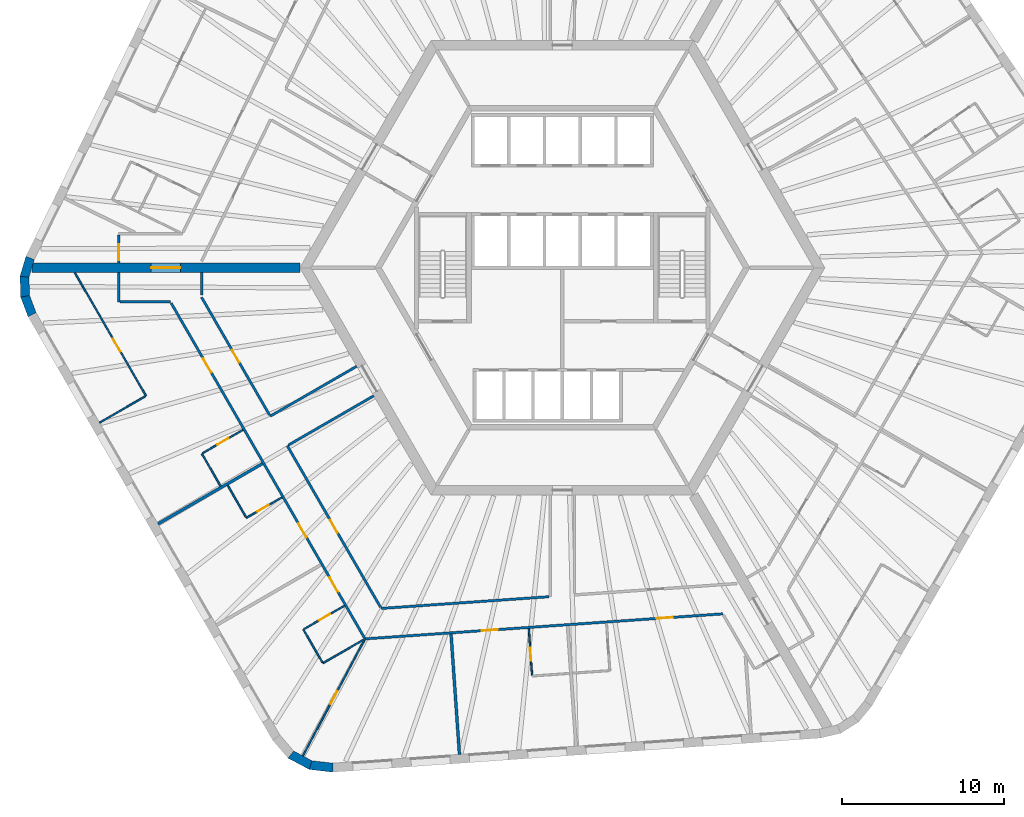
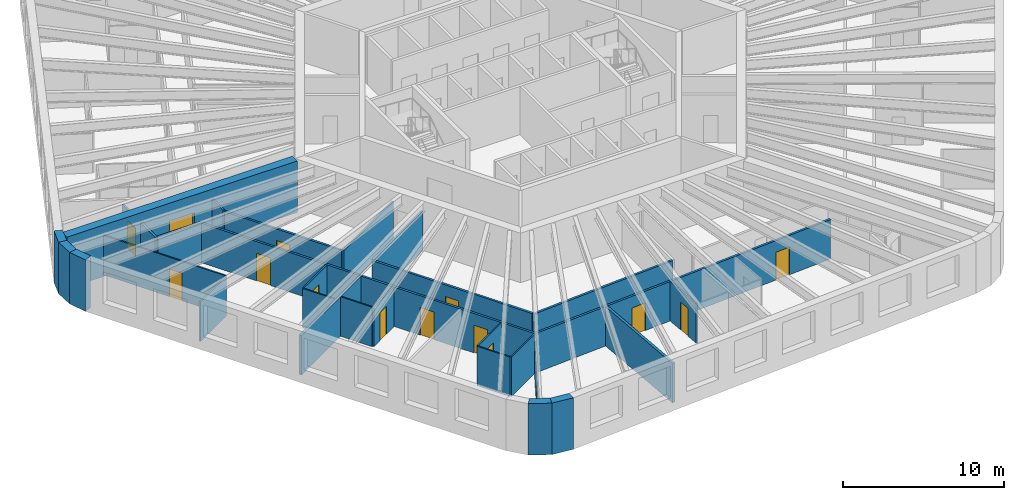
# One storey, part 3 of 12: 30 walls, 15 doors, 15 openings.
"""IFC4 building model written with IfcOpenShell, lengths in metres."""

import ifcopenshell
import ifcopenshell.guid

model = None  # the IFC model being written
_history = None  # IfcOwnerHistory: only IFC2X3 demands one
_inside = {}  # id of a spatial element -> (the spatial element, [elements in it])
_under = {}  # id of a project, library or spatial element -> (it, [spatial elements below it])
_declared = {}  # id of a project -> (the project, [libraries it declares])
_typed = {}  # id of a type object -> (the type object, [elements of that type])
_made_of = {}  # id of a material, layer set ... -> (it, [elements and type objects made of it])


def new_model(schema):
    """Start an empty IFC model of exactly this schema.

    Asked for "IFC4X3", IfcOpenShell would pick the latest addendum, in which some entities
    have other attributes; the version numbers below select the first issue.
    IFC2X3 requires an IfcOwnerHistory on every rooted entity: one is made here for all.
    """
    global model, _history
    if schema == "IFC4X3":
        model = ifcopenshell.file(schema_version=(4, 3, 0, 0))
    else:
        model = ifcopenshell.file(schema=schema)
    _inside.clear()
    _under.clear()
    _declared.clear()
    _typed.clear()
    _made_of.clear()
    _history = None
    if model.schema == "IFC2X3":
        org = make("IfcOrganization", Name="unknown")
        user = make(
            "IfcPersonAndOrganization",
            ThePerson=make("IfcPerson", FamilyName="unknown"),
            TheOrganization=org,
        )
        app = make(
            "IfcApplication",
            ApplicationDeveloper=org,
            Version="unknown",
            ApplicationFullName="unknown",
            ApplicationIdentifier="unknown",
        )
        _history = make(
            "IfcOwnerHistory",
            OwningUser=user,
            OwningApplication=app,
            ChangeAction="ADDED",
            CreationDate=0,
        )
    return model


def make(cls, **values):
    """One entity of the class cls with the attributes given. An attribute that is None is left unset."""
    return model.create_entity(
        cls, **{name: value for name, value in values.items() if value is not None}
    )


def rooted(cls, **values):
    """An entity with a GlobalId (a new one), such as an element, a storey or a relation."""
    return make(cls, GlobalId=ifcopenshell.guid.new(), OwnerHistory=_history, **values)


def si_unit(unit_type, name, prefix=None):
    """IfcSIUnit, for example si_unit("LENGTHUNIT", "METRE", prefix="MILLI")."""
    return make("IfcSIUnit", UnitType=unit_type, Prefix=prefix, Name=name)


def assignment(units):
    """IfcUnitAssignment: the units of a project."""
    return None if units is None else make("IfcUnitAssignment", Units=units)


def point(xyz):
    """IfcCartesianPoint."""
    return None if xyz is None else make("IfcCartesianPoint", Coordinates=xyz)


def direction(xyz):
    """IfcDirection."""
    return None if xyz is None else make("IfcDirection", DirectionRatios=xyz)


def frame(location, z_axis=None, x_axis=None):
    """IfcAxis2Placement3D, a coordinate frame: its origin and axes. An axis left out is left unset."""
    return make(
        "IfcAxis2Placement3D",
        Location=point(location),
        Axis=direction(z_axis),
        RefDirection=direction(x_axis),
    )


def frame_2d(location, x_axis=None):
    """IfcAxis2Placement2D, a coordinate frame in the plane: its origin and x axis."""
    return make(
        "IfcAxis2Placement2D", Location=point(location), RefDirection=direction(x_axis)
    )


def origin():
    """The frame at (0, 0, 0) with its axes left unset."""
    return frame((0.0, 0.0, 0.0))


def place(relative_to, where):
    """IfcLocalPlacement: puts the frame where relative to a parent placement (None: the world)."""
    return make(
        "IfcLocalPlacement", PlacementRelTo=relative_to, RelativePlacement=where
    )


def context(
    kind, dimensions, precision=None, world=None, true_north=None, identifier=None
):
    """IfcGeometricRepresentationContext, for example the 3D "Model" context."""
    return make(
        "IfcGeometricRepresentationContext",
        ContextIdentifier=identifier,
        ContextType=kind,
        CoordinateSpaceDimension=dimensions,
        Precision=precision,
        WorldCoordinateSystem=world,
        TrueNorth=true_north,
    )


def subcontext(parent, identifier, kind, view, scale=None):
    """IfcGeometricRepresentationSubContext, for example "Body" below "Model"."""
    return make(
        "IfcGeometricRepresentationSubContext",
        ContextIdentifier=identifier,
        ContextType=kind,
        ParentContext=parent,
        TargetScale=scale,
        TargetView=view,
    )


def project(units=None, contexts=None):
    """IfcProject with its units and contexts."""
    return rooted(
        "IfcProject",
        Name="project",
        RepresentationContexts=contexts,
        UnitsInContext=assignment(units),
    )


def spatial(cls, under=None, at=None, **own):
    """A site, building, storey or space (cls), placed at a placement, below another one or the project."""
    s = rooted(cls, ObjectPlacement=at, **own)
    if under is not None:
        _under.setdefault(under.id(), (under, []))[1].append(s)
    return s


def polyline(points):
    """IfcPolyline through the points."""
    return make("IfcPolyline", Points=[point(p) for p in points])


def profile(cls, at=None, kind="AREA", **sizes):
    """A parametric profile (cls). Its sizes go by their IFC names, for example OverallWidth=200.0."""
    return make(cls, ProfileType=kind, Position=at, **sizes)


def rectangle(**sizes):
    """IfcRectangleProfileDef."""
    return profile("IfcRectangleProfileDef", **sizes)


def outline(outer, holes=None, kind="AREA"):
    """IfcArbitraryClosedProfileDef: a profile drawn as a closed curve; with holes, ...WithVoids."""
    if holes is None:
        return make("IfcArbitraryClosedProfileDef", ProfileType=kind, OuterCurve=outer)
    return make(
        "IfcArbitraryProfileDefWithVoids",
        ProfileType=kind,
        OuterCurve=outer,
        InnerCurves=holes,
    )


def extrude(swept, where, along, depth):
    """IfcExtrudedAreaSolid: the profile swept, set in the frame where, extruded along a direction by depth."""
    return make(
        "IfcExtrudedAreaSolid",
        SweptArea=swept,
        Position=where,
        ExtrudedDirection=direction(along),
        Depth=depth,
    )


def shape(context_of_items, identifier, shape_type, items):
    """IfcShapeRepresentation: the items that make up one representation, for example the "Body"."""
    return make(
        "IfcShapeRepresentation",
        ContextOfItems=context_of_items,
        RepresentationIdentifier=identifier,
        RepresentationType=shape_type,
        Items=items,
    )


def material(Name=None, Category=None):
    """IfcMaterial."""
    return make("IfcMaterial", Name=Name, Category=Category)


def layer(
    of_material, thickness, ventilated=None, Name=None, Category=None, Priority=None
):
    """IfcMaterialLayer: one layer of a wall or slab, of a material (None: an air gap)."""
    return make(
        "IfcMaterialLayer",
        Material=of_material,
        LayerThickness=thickness,
        IsVentilated=ventilated,
        Name=Name,
        Category=Category,
        Priority=Priority,
    )


def layer_set(layers, Name=None):
    """IfcMaterialLayerSet."""
    return make("IfcMaterialLayerSet", MaterialLayers=layers, LayerSetName=Name)


def made_of(thing, what):
    """Note that an element or type object is made of a material, layer set ...; save() writes the relation."""
    if what is not None:
        _made_of.setdefault(what.id(), (what, []))[1].append(thing)
    return thing


def type_object(cls, material=None, **own):
    """A type object (cls), such as IfcWallType, which elements share."""
    return made_of(rooted(cls, **own), material)


def element(
    cls,
    number,
    at=None,
    inside=None,
    cuts=None,
    type_object=None,
    material=None,
    context=None,
    identifier="Body",
    shape_type=None,
    held_by="IfcProductDefinitionShape",
    body=None,
    shapes=None,
    **own,
):
    """One element of the class cls, such as IfcWall. Its Tag is "e" and its number.

    at: its placement. inside: the storey or other place that contains it. cuts: it is an
    opening in that element (IfcRelVoidsElement). A single representation is given by context,
    identifier, shape_type and body (its items); several are given by shapes. held_by: the class
    of the entity that holds the representations. save() writes the other relations.
    """
    e = rooted(cls, Tag="e%d" % number, ObjectPlacement=at, **own)
    if body is not None:
        shapes = [shape(context, identifier, shape_type, body)]
    if shapes is not None:
        e.Representation = make(held_by, Representations=shapes)
    if inside is not None:
        _inside.setdefault(inside.id(), (inside, []))[1].append(e)
    if cuts is not None:
        rooted(
            "IfcRelVoidsElement", RelatingBuildingElement=cuts, RelatedOpeningElement=e
        )
    if type_object is not None:
        _typed.setdefault(type_object.id(), (type_object, []))[1].append(e)
    return made_of(e, material)


def fill(opening, filler):
    """IfcRelFillsElement: the door or window that sits in an opening."""
    return rooted(
        "IfcRelFillsElement",
        RelatingOpeningElement=opening,
        RelatedBuildingElement=filler,
    )


def aggregate(whole, parts):
    """IfcRelAggregates: a whole, such as a stair, and the parts it consists of."""
    return rooted("IfcRelAggregates", RelatingObject=whole, RelatedObjects=parts)


def save(model, path):
    """Write the relations noted so far, then the file.

    IfcRelAggregates (storeys below a building ...), IfcRelContainedInSpatialStructure (elements
    in a storey), IfcRelDefinesByType, IfcRelAssociatesMaterial and IfcRelDeclares: one each for
    every whole, place, type object, material and project.
    """
    for whole, parts in _under.values():
        aggregate(whole, parts)
    for where, things in _inside.values():
        rooted(
            "IfcRelContainedInSpatialStructure",
            RelatedElements=things,
            RelatingStructure=where,
        )
    for kind, things in _typed.values():
        rooted("IfcRelDefinesByType", RelatedObjects=things, RelatingType=kind)
    for what, things in _made_of.values():
        rooted("IfcRelAssociatesMaterial", RelatedObjects=things, RelatingMaterial=what)
    for by, libraries in _declared.values():
        rooted("IfcRelDeclares", RelatingContext=by, RelatedDefinitions=libraries)
    model.write(path)


model = new_model("IFC4")

# Units and contexts
model_context = context("Model", 3, precision=1e-05, world=origin(), true_north=direction((0.0, 1.0)))
body_context = subcontext(model_context, "Body", "Model", "MODEL_VIEW")
ifc_project = project(units=[si_unit("LENGTHUNIT", "METRE"), si_unit("AREAUNIT", "SQUARE_METRE"), si_unit("VOLUMEUNIT", "CUBIC_METRE"), si_unit("PLANEANGLEUNIT", "RADIAN"), si_unit("MASSUNIT", "GRAM", prefix="KILO")], contexts=[model_context])

# Site, building, storey
site_placement = place(None, origin())
site = spatial("IfcSite", under=ifc_project, at=site_placement, CompositionType="ELEMENT")
building_placement = place(site_placement, origin())
building = spatial("IfcBuilding", under=site, at=building_placement, Name="Tarnside Tower", CompositionType="ELEMENT")
storey_placement = place(building_placement, frame((0.0, 0.0, 76.5)))
storey = spatial("IfcBuildingStorey", under=building, at=storey_placement, Name="L16", CompositionType="ELEMENT", Elevation=76.5)

# Wall
ifc_material_1 = material(Name="Gypsum board partition on steel studs", Category="steel")
ifc_layer_1 = layer(ifc_material_1, 0.10009765625)
ifc_layer_set_1 = layer_set([ifc_layer_1], Name="Bathroom wall 100")
wall_type_1 = type_object("IfcWallType", Name="Bathroom wall 100", PredefinedType="PARTITIONING", material=ifc_layer_set_1)
wall_1_placement = place(storey_placement, frame((-21.046875, -13.44580078125, 0.0), z_axis=(0.0, 0.0, 1.0), x_axis=(-0.500015210774, 0.866016621662, 0.0)))
element("IfcWall", 1, at=wall_1_placement, inside=storey, type_object=wall_type_1, Name="Bathroom wall 04105", PredefinedType="PARTITIONING", context=body_context, shape_type="SweptSolid", body=[
    extrude(rectangle(XDim=2.31005859375, YDim=0.10009765625, at=frame_2d((1.155029296875, 0.0))), origin(), (0.0, 0.0, 1.0), 2.98779296875),
])

# Wall, opening, door
wall_2_placement = place(storey_placement, frame((-22.158447265625, -11.42041015625, 0.0), z_axis=(0.0, 0.0, 1.0), x_axis=(0.866018712932, 0.500011588718, 0.0)))
wall_2 = element("IfcWall", 2, at=wall_2_placement, inside=storey, type_object=wall_type_1, Name="Bathroom wall 04106", PredefinedType="PARTITIONING", context=body_context, shape_type="SweptSolid", body=[
    extrude(rectangle(XDim=2.875, YDim=0.10009765625, at=frame_2d((1.4375, 0.0))), origin(), (0.0, 0.0, 1.0), 2.98779296875),
])
opening_1_placement = place(wall_2_placement, frame((1.050048828125, 0.0, 0.0)))
opening_1 = element("IfcOpeningElement", 3, at=opening_1_placement, cuts=wall_2, Name="Opening D-B1", PredefinedType="OPENING", context=body_context, shape_type="SweptSolid", body=[
    extrude(rectangle(XDim=0.800048828125, YDim=2.10009765625, at=frame_2d((0.39990234375, 1.050048828125))), frame((0.0, 0.06005859375, 0.0), z_axis=(0.0, -1.0, 0.0), x_axis=(1.0, 0.0, 0.0)), (0.0, 0.0, 1.0), 0.1201171875),
])
ifc_material_2 = material(Name="Timber door leaf", Category="wood")
door_type_1 = type_object("IfcDoorType", Name="Bathroom door 800", OperationType="NOTDEFINED", PredefinedType="DOOR", material=ifc_material_2)
door_1_placement = place(opening_1_placement, origin())
door_1 = element("IfcDoor", 4, at=door_1_placement, inside=storey, type_object=door_type_1, Name="Bathroom door 04016", OperationType="SINGLE_SWING_LEFT", OverallHeight=2.10009765625, OverallWidth=0.800048828125, PredefinedType="DOOR", context=body_context, shape_type="SweptSolid", body=[
    extrude(rectangle(XDim=0.800048828125, YDim=2.10009765625, at=frame_2d((0.39990234375, 1.050048828125))), frame((0.0, 0.02490234375, 0.0), z_axis=(0.0, -1.0, 0.0), x_axis=(1.0, 0.0, 0.0)), (0.0, 0.0, 1.0), 0.050048828125),
])
fill(opening_1, door_1)

wall_3_placement = place(storey_placement, frame((-17.268798828125, -14.1396484375, 0.0), z_axis=(0.0, 0.0, 1.0), x_axis=(-0.865973021571, -0.500090717682, 0.0)))
wall_3 = element("IfcWall", 5, at=wall_3_placement, inside=storey, type_object=wall_type_1, Name="Bathroom wall 04112", PredefinedType="PARTITIONING", context=body_context, shape_type="SweptSolid", body=[
    extrude(rectangle(XDim=2.52490234375, YDim=0.10009765625, at=frame_2d((1.262451171875, 0.0))), origin(), (0.0, 0.0, 1.0), 2.98779296875),
])
opening_2_placement = place(wall_3_placement, frame((0.955078125, 0.0, 0.0)))
opening_2 = element("IfcOpeningElement", 6, at=opening_2_placement, cuts=wall_3, Name="Opening D-B1", PredefinedType="OPENING", context=body_context, shape_type="SweptSolid", body=[
    extrude(rectangle(XDim=0.800048828125, YDim=2.10009765625, at=frame_2d((0.39990234375, 1.050048828125))), frame((0.0, 0.06005859375, 0.0), z_axis=(0.0, -1.0, 0.0), x_axis=(1.0, 0.0, 0.0)), (0.0, 0.0, 1.0), 0.1201171875),
])
door_2_placement = place(opening_2_placement, origin())
door_2 = element("IfcDoor", 7, at=door_2_placement, inside=storey, type_object=door_type_1, Name="Bathroom door 04019", OperationType="SINGLE_SWING_LEFT", OverallHeight=2.10009765625, OverallWidth=0.800048828125, PredefinedType="DOOR", context=body_context, shape_type="SweptSolid", body=[
    extrude(rectangle(XDim=0.800048828125, YDim=2.10009765625, at=frame_2d((0.39990234375, 1.050048828125))), frame((0.0, 0.02490234375, 0.0), z_axis=(0.0, -1.0, 0.0), x_axis=(1.0, 0.0, 0.0)), (0.0, 0.0, 1.0), 0.050048828125),
])
fill(opening_2, door_2)

# Walls
wall_4_placement = place(storey_placement, frame((-19.48046875, -15.35888671875, 0.0), z_axis=(0.0, 0.0, 1.0), x_axis=(-0.4999967785, 0.866027263711, 0.0)))
element("IfcWall", 8, at=wall_4_placement, inside=storey, type_object=wall_type_1, Name="Bathroom wall 04113", PredefinedType="PARTITIONING", context=body_context, shape_type="SweptSolid", body=[
    extrude(rectangle(XDim=2.259765625, YDim=0.10009765625, at=frame_2d((1.1298828125, 0.0))), origin(), (0.0, 0.0, 1.0), 2.98779296875),
])
wall_5_placement = place(storey_placement, frame((-12.21630859375, -22.890869140625, 0.0), z_axis=(0.0, 0.0, 1.0), x_axis=(-0.866046596414, -0.499963291492, 0.0)))
element("IfcWall", 9, at=wall_5_placement, inside=storey, type_object=wall_type_1, Name="Bathroom wall 04115", PredefinedType="PARTITIONING", context=body_context, shape_type="SweptSolid", body=[
    extrude(rectangle(XDim=2.925048828125, YDim=0.10009765625, at=frame_2d((1.46240234375, 0.0))), origin(), (0.0, 0.0, 1.0), 2.98779296875),
])
wall_6_placement = place(storey_placement, frame((-14.7744140625, -24.31005859375, 0.0), z_axis=(0.0, 0.0, 1.0), x_axis=(-0.500016218704, 0.866016039709, 0.0)))
element("IfcWall", 10, at=wall_6_placement, inside=storey, type_object=wall_type_1, Name="Bathroom wall 04116", PredefinedType="PARTITIONING", context=body_context, shape_type="SweptSolid", body=[
    extrude(rectangle(XDim=2.35009765625, YDim=0.10009765625, at=frame_2d((1.175048828125, 0.0))), origin(), (0.0, 0.0, 1.0), 2.98779296875),
])

# Wall, opening, door
wall_7_placement = place(storey_placement, frame((-15.906005859375, -22.249755859375, 0.0), z_axis=(0.0, 0.0, 1.0), x_axis=(0.866018712932, 0.500011588718, 0.0)))
wall_7 = element("IfcWall", 11, at=wall_7_placement, inside=storey, type_object=wall_type_1, Name="Bathroom wall 04117", PredefinedType="PARTITIONING", context=body_context, shape_type="SweptSolid", body=[
    extrude(rectangle(XDim=2.875, YDim=0.10009765625, at=frame_2d((1.4375, 0.0))), origin(), (0.0, 0.0, 1.0), 2.98779296875),
])
opening_3_placement = place(wall_7_placement, frame((1.050048828125, 0.0, 0.0)))
opening_3 = element("IfcOpeningElement", 12, at=opening_3_placement, cuts=wall_7, Name="Opening D-B1", PredefinedType="OPENING", context=body_context, shape_type="SweptSolid", body=[
    extrude(rectangle(XDim=0.800048828125, YDim=2.10009765625, at=frame_2d((0.39990234375, 1.050048828125))), frame((0.0, 0.06005859375, 0.0), z_axis=(0.0, -1.0, 0.0), x_axis=(1.0, 0.0, 0.0)), (0.0, 0.0, 1.0), 0.1201171875),
])
door_3_placement = place(opening_3_placement, origin())
door_3 = element("IfcDoor", 13, at=door_3_placement, inside=storey, type_object=door_type_1, Name="Bathroom door 04021", OperationType="SINGLE_SWING_LEFT", OverallHeight=2.10009765625, OverallWidth=0.800048828125, PredefinedType="DOOR", context=body_context, shape_type="SweptSolid", body=[
    extrude(rectangle(XDim=0.800048828125, YDim=2.10009765625, at=frame_2d((0.39990234375, 1.050048828125))), frame((0.0, 0.02490234375, 0.0), z_axis=(0.0, -1.0, 0.0), x_axis=(1.0, 0.0, 0.0)), (0.0, 0.0, 1.0), 0.050048828125),
])
fill(opening_3, door_3)

wall_8_placement = place(storey_placement, frame((-1.865478515625, -25.09130859375, 0.0), z_axis=(0.0, 0.0, 1.0), x_axis=(-0.069714207611, 0.997567004896, 0.0)))
wall_8 = element("IfcWall", 14, at=wall_8_placement, inside=storey, type_object=wall_type_1, Name="Bathroom wall 04121", PredefinedType="PARTITIONING", context=body_context, shape_type="SweptSolid", body=[
    extrude(rectangle(XDim=2.875244140625, YDim=0.10009765625, at=frame_2d((1.4375, 0.0))), origin(), (0.0, 0.0, 1.0), 2.98779296875),
])
opening_4_placement = place(wall_8_placement, frame((0.89990234375, 0.0, 0.0)))
opening_4 = element("IfcOpeningElement", 15, at=opening_4_placement, cuts=wall_8, Name="Opening D-B1", PredefinedType="OPENING", context=body_context, shape_type="SweptSolid", body=[
    extrude(rectangle(XDim=0.800048828125, YDim=2.10009765625, at=frame_2d((0.39990234375, 1.050048828125))), frame((0.0, 0.06005859375, 0.0), z_axis=(0.0, -1.0, 0.0), x_axis=(1.0, 0.0, 0.0)), (0.0, 0.0, 1.0), 0.1201171875),
])
door_4_placement = place(opening_4_placement, origin())
door_4 = element("IfcDoor", 16, at=door_4_placement, inside=storey, type_object=door_type_1, Name="Bathroom door 04024", OperationType="SINGLE_SWING_RIGHT", OverallHeight=2.10009765625, OverallWidth=0.800048828125, PredefinedType="DOOR", context=body_context, shape_type="SweptSolid", body=[
    extrude(rectangle(XDim=0.800048828125, YDim=2.10009765625, at=frame_2d((0.39990234375, 1.050048828125))), frame((0.0, 0.02490234375, 0.0), z_axis=(0.0, -1.0, 0.0), x_axis=(1.0, 0.0, 0.0)), (0.0, 0.0, 1.0), 0.050048828125),
])
fill(opening_4, door_4)

ifc_material_3 = material(Name="Concrete C80/95", Category="concrete")
ifc_layer_2 = layer(ifc_material_3, 0.60009765625)
ifc_layer_set_2 = layer_set([ifc_layer_2], Name="Core wall Z1 600 C80/95")
wall_type_2 = type_object("IfcWallType", Name="Core wall Z1 600 C80/95", PredefinedType="SHEAR", material=ifc_layer_set_2)
wall_9_placement = place(storey_placement, frame((-16.165771484375, 0.0, -0.14990234375), z_axis=(0.0, 0.0, 1.0), x_axis=(-1.0, 0.0, 0.0)))
wall_9 = element("IfcWall", 17, at=wall_9_placement, inside=storey, type_object=wall_type_2, Name="L16 spine wall 2", PredefinedType="SHEAR", context=body_context, shape_type="SweptSolid", body=[
    extrude(rectangle(XDim=16.509033203125, YDim=0.60009765625, at=frame_2d((8.25439453125, 0.0))), origin(), (0.0, 0.0, 1.0), 3.89990234375),
])
opening_5_placement = place(wall_9_placement, frame((7.3544921875, 0.0, 0.14990234375)))
opening_5 = element("IfcOpeningElement", 18, at=opening_5_placement, cuts=wall_9, Name="Opening CD-SPN", PredefinedType="OPENING", context=body_context, shape_type="SweptSolid", body=[
    extrude(rectangle(XDim=1.800048828125, YDim=2.39990234375, at=frame_2d((0.89990234375, 1.199951171875))), frame((0.0, 0.31005859375, 0.0), z_axis=(0.0, -1.0, 0.0), x_axis=(1.0, 0.0, 0.0)), (0.0, 0.0, 1.0), 0.6201171875),
])
ifc_material_4 = material(Name="Steel fire door", Category="steel")
door_type_2 = type_object("IfcDoorType", Name="Spine passage double door FD60 1800x2400", OperationType="NOTDEFINED", PredefinedType="DOOR", material=ifc_material_4)
door_5_placement = place(opening_5_placement, origin())
door_5 = element("IfcDoor", 19, at=door_5_placement, inside=storey, type_object=door_type_2, Name="L16 spine passage door 2", OperationType="DOUBLE_DOOR_SINGLE_SWING", OverallHeight=2.39990234375, OverallWidth=1.800048828125, PredefinedType="DOOR", context=body_context, shape_type="SweptSolid", body=[
    extrude(rectangle(XDim=1.800048828125, YDim=2.39990234375, at=frame_2d((0.89990234375, 1.199951171875))), frame((0.0, 0.02490234375, 0.0), z_axis=(0.0, -1.0, 0.0), x_axis=(1.0, 0.0, 0.0)), (0.0, 0.0, 1.0), 0.050048828125),
])
fill(opening_5, door_5)

ifc_layer_3 = layer(ifc_material_1, 0.14990234375)
ifc_layer_set_3 = layer_set([ifc_layer_3], Name="Corridor wall 150 EI 60")
wall_type_3 = type_object("IfcWallType", Name="Corridor wall 150 EI 60", PredefinedType="PARTITIONING", material=ifc_layer_set_3)
wall_10_placement = place(storey_placement, frame((-27.3203125, 2.02490234375, 0.0), z_axis=(0.0, 0.0, 1.0), x_axis=(0.0, -1.0, 0.0)))
wall_10 = element("IfcWall", 20, at=wall_10_placement, inside=storey, type_object=wall_type_3, Name="Corridor wall 04015", PredefinedType="PARTITIONING", context=body_context, shape_type="SweptSolid", body=[
    extrude(rectangle(XDim=1.724853515625, YDim=0.14990234375, at=frame_2d((0.8623046875, 0.0))), origin(), (0.0, 0.0, 1.0), 2.98779296875),
])
opening_6_placement = place(wall_10_placement, frame((0.574951171875, 0.0, 0.0)))
opening_6 = element("IfcOpeningElement", 21, at=opening_6_placement, cuts=wall_10, Name="Opening D-E1", PredefinedType="OPENING", context=body_context, shape_type="SweptSolid", body=[
    extrude(rectangle(XDim=1.0, YDim=2.10009765625, at=frame_2d((0.5, 1.050048828125))), frame((0.0, 0.0849609375, 0.0), z_axis=(0.0, -1.0, 0.0), x_axis=(1.0, 0.0, 0.0)), (0.0, 0.0, 1.0), 0.169921875),
])
door_type_3 = type_object("IfcDoorType", Name="Unit entrance door 1000 FD30S", OperationType="NOTDEFINED", PredefinedType="DOOR", material=ifc_material_2)
door_6_placement = place(opening_6_placement, origin())
door_6 = element("IfcDoor", 22, at=door_6_placement, inside=storey, type_object=door_type_3, Name="Unit door 04014", OperationType="SINGLE_SWING_LEFT", OverallHeight=2.10009765625, OverallWidth=1.0, PredefinedType="DOOR", context=body_context, shape_type="SweptSolid", body=[
    extrude(rectangle(XDim=1.0, YDim=2.10009765625, at=frame_2d((0.5, 1.050048828125))), frame((0.0, 0.02490234375, 0.0), z_axis=(0.0, -1.0, 0.0), x_axis=(1.0, 0.0, 0.0)), (0.0, 0.0, 1.0), 0.050048828125),
])
fill(opening_6, door_6)

# Walls
wall_11_placement = place(storey_placement, frame((-27.3203125, -0.300048828125, 0.0), z_axis=(0.0, 0.0, 1.0), x_axis=(0.0, -1.0, 0.0)))
element("IfcWall", 23, at=wall_11_placement, inside=storey, type_object=wall_type_3, Name="Corridor wall 04025", PredefinedType="PARTITIONING", context=body_context, shape_type="SweptSolid", body=[
    extrude(rectangle(XDim=1.800048828125, YDim=0.14990234375, at=frame_2d((0.89990234375, 0.0))), origin(), (0.0, 0.0, 1.0), 2.98779296875),
])
wall_12_placement = place(storey_placement, frame((-27.245361328125, -2.10009765625, 0.0), z_axis=(0.0, 0.0, 1.0), x_axis=(1.0, 0.0, 0.0)))
element("IfcWall", 24, at=wall_12_placement, inside=storey, type_object=wall_type_3, Name="Corridor wall 04026", PredefinedType="PARTITIONING", context=body_context, shape_type="SweptSolid", body=[
    extrude(rectangle(XDim=3.112060546875, YDim=0.14990234375, at=frame_2d((1.55615234375, 0.0))), origin(), (0.0, 0.0, 1.0), 2.98779296875),
])

# Wall, openings, doors
wall_13_placement = place(storey_placement, frame((-24.08984375, -2.175048828125, 0.0), z_axis=(0.0, 0.0, 1.0), x_axis=(0.499996832073, -0.86602723278, 0.0)))
wall_13 = element("IfcWall", 25, at=wall_13_placement, inside=storey, type_object=wall_type_3, Name="Corridor wall 04027", PredefinedType="PARTITIONING", context=body_context, shape_type="SweptSolid", body=[
    extrude(rectangle(XDim=23.877197265625, YDim=0.14990234375, at=frame_2d((11.9384765625, 0.0))), origin(), (0.0, 0.0, 1.0), 2.98779296875),
])
opening_7_placement = place(wall_13_placement, frame((3.94287109375, 0.0, 0.0)))
opening_7 = element("IfcOpeningElement", 26, at=opening_7_placement, cuts=wall_13, Name="Opening D-E1", PredefinedType="OPENING", context=body_context, shape_type="SweptSolid", body=[
    extrude(rectangle(XDim=1.0, YDim=2.10009765625, at=frame_2d((0.5, 1.050048828125))), frame((0.0, 0.0849609375, 0.0), z_axis=(0.0, -1.0, 0.0), x_axis=(1.0, 0.0, 0.0)), (0.0, 0.0, 1.0), 0.169921875),
])
opening_8_placement = place(wall_13_placement, frame((15.67236328125, 0.0, 0.0)))
opening_8 = element("IfcOpeningElement", 27, at=opening_8_placement, cuts=wall_13, Name="Opening D-E1", PredefinedType="OPENING", context=body_context, shape_type="SweptSolid", body=[
    extrude(rectangle(XDim=1.0, YDim=2.10009765625, at=frame_2d((0.5, 1.050048828125))), frame((0.0, 0.0849609375, 0.0), z_axis=(0.0, -1.0, 0.0), x_axis=(1.0, 0.0, 0.0)), (0.0, 0.0, 1.0), 0.169921875),
])
opening_9_placement = place(wall_13_placement, frame((19.52490234375, 0.0, 0.0)))
opening_9 = element("IfcOpeningElement", 28, at=opening_9_placement, cuts=wall_13, Name="Opening D-E1", PredefinedType="OPENING", context=body_context, shape_type="SweptSolid", body=[
    extrude(rectangle(XDim=1.0, YDim=2.10009765625, at=frame_2d((0.5, 1.050048828125))), frame((0.0, 0.0849609375, 0.0), z_axis=(0.0, -1.0, 0.0), x_axis=(1.0, 0.0, 0.0)), (0.0, 0.0, 1.0), 0.169921875),
])
door_7_placement = place(opening_7_placement, origin())
door_7 = element("IfcDoor", 29, at=door_7_placement, inside=storey, type_object=door_type_3, Name="Unit door 04015", OperationType="SINGLE_SWING_RIGHT", OverallHeight=2.10009765625, OverallWidth=1.0, PredefinedType="DOOR", context=body_context, shape_type="SweptSolid", body=[
    extrude(rectangle(XDim=1.0, YDim=2.10009765625, at=frame_2d((0.5, 1.050048828125))), frame((0.0, 0.02490234375, 0.0), z_axis=(0.0, -1.0, 0.0), x_axis=(1.0, 0.0, 0.0)), (0.0, 0.0, 1.0), 0.050048828125),
])
fill(opening_7, door_7)
door_8_placement = place(opening_8_placement, origin())
door_8 = element("IfcDoor", 30, at=door_8_placement, inside=storey, type_object=door_type_3, Name="Unit door 04018", OperationType="SINGLE_SWING_RIGHT", OverallHeight=2.10009765625, OverallWidth=1.0, PredefinedType="DOOR", context=body_context, shape_type="SweptSolid", body=[
    extrude(rectangle(XDim=1.0, YDim=2.10009765625, at=frame_2d((0.5, 1.050048828125))), frame((0.0, 0.02490234375, 0.0), z_axis=(0.0, -1.0, 0.0), x_axis=(1.0, 0.0, 0.0)), (0.0, 0.0, 1.0), 0.050048828125),
])
fill(opening_8, door_8)
door_9_placement = place(opening_9_placement, origin())
door_9 = element("IfcDoor", 31, at=door_9_placement, inside=storey, type_object=door_type_3, Name="Unit door 04020", OperationType="SINGLE_SWING_RIGHT", OverallHeight=2.10009765625, OverallWidth=1.0, PredefinedType="DOOR", context=body_context, shape_type="SweptSolid", body=[
    extrude(rectangle(XDim=1.0, YDim=2.10009765625, at=frame_2d((0.5, 1.050048828125))), frame((0.0, 0.02490234375, 0.0), z_axis=(0.0, -1.0, 0.0), x_axis=(1.0, 0.0, 0.0)), (0.0, 0.0, 1.0), 0.050048828125),
])
fill(opening_9, door_9)

wall_14_placement = place(storey_placement, frame((-12.1513671875, -22.853271484375, 0.0), z_axis=(0.0, 0.0, 1.0), x_axis=(0.99756425444, 0.069753553767, 0.0)))
wall_14 = element("IfcWall", 32, at=wall_14_placement, inside=storey, type_object=wall_type_3, Name="Corridor wall 04033", PredefinedType="PARTITIONING", context=body_context, shape_type="SweptSolid", body=[
    extrude(rectangle(XDim=22.085205078125, YDim=0.14990234375, at=frame_2d((11.04248046875, 0.0))), origin(), (0.0, 0.0, 1.0), 2.98779296875),
])
opening_10_placement = place(wall_14_placement, frame((7.204833984375, 0.0, 0.0)))
opening_10 = element("IfcOpeningElement", 33, at=opening_10_placement, cuts=wall_14, Name="Opening D-E1", PredefinedType="OPENING", context=body_context, shape_type="SweptSolid", body=[
    extrude(rectangle(XDim=1.0, YDim=2.10009765625, at=frame_2d((0.5, 1.050048828125))), frame((0.0, 0.0849609375, 0.0), z_axis=(0.0, -1.0, 0.0), x_axis=(1.0, 0.0, 0.0)), (0.0, 0.0, 1.0), 0.169921875),
])
opening_11_placement = place(wall_14_placement, frame((17.994873046875, 0.0, 0.0)))
opening_11 = element("IfcOpeningElement", 34, at=opening_11_placement, cuts=wall_14, Name="Opening D-E1", PredefinedType="OPENING", context=body_context, shape_type="SweptSolid", body=[
    extrude(rectangle(XDim=1.0, YDim=2.10009765625, at=frame_2d((0.5, 1.050048828125))), frame((0.0, 0.0849609375, 0.0), z_axis=(0.0, -1.0, 0.0), x_axis=(1.0, 0.0, 0.0)), (0.0, 0.0, 1.0), 0.169921875),
])
door_10_placement = place(opening_10_placement, origin())
door_10 = element("IfcDoor", 35, at=door_10_placement, inside=storey, type_object=door_type_3, Name="Unit door 04023", OperationType="SINGLE_SWING_LEFT", OverallHeight=2.10009765625, OverallWidth=1.0, PredefinedType="DOOR", context=body_context, shape_type="SweptSolid", body=[
    extrude(rectangle(XDim=1.0, YDim=2.10009765625, at=frame_2d((0.5, 1.050048828125))), frame((0.0, 0.02490234375, 0.0), z_axis=(0.0, -1.0, 0.0), x_axis=(1.0, 0.0, 0.0)), (0.0, 0.0, 1.0), 0.050048828125),
])
fill(opening_10, door_10)
door_11_placement = place(opening_11_placement, origin())
door_11 = element("IfcDoor", 36, at=door_11_placement, inside=storey, type_object=door_type_3, Name="Unit door 04025", OperationType="SINGLE_SWING_LEFT", OverallHeight=2.10009765625, OverallWidth=1.0, PredefinedType="DOOR", context=body_context, shape_type="SweptSolid", body=[
    extrude(rectangle(XDim=1.0, YDim=2.10009765625, at=frame_2d((0.5, 1.050048828125))), frame((0.0, 0.02490234375, 0.0), z_axis=(0.0, -1.0, 0.0), x_axis=(1.0, 0.0, 0.0)), (0.0, 0.0, 1.0), 0.050048828125),
])
fill(opening_11, door_11)

# Wall
wall_15_placement = place(storey_placement, frame((-12.663818359375, -6.065673828125, 0.0), z_axis=(0.0, 0.0, 1.0), x_axis=(-0.866023618125, -0.500003092839, 0.0)))
element("IfcWall", 37, at=wall_15_placement, inside=storey, type_object=wall_type_3, Name="Corridor wall 04041", PredefinedType="PARTITIONING", context=body_context, shape_type="SweptSolid", body=[
    extrude(rectangle(XDim=6.14990234375, YDim=0.14990234375, at=frame_2d((3.074951171875, 0.0))), origin(), (0.0, 0.0, 1.0), 2.98779296875),
])

# Wall, opening, door
wall_16_placement = place(storey_placement, frame((-18.02734375, -9.07568359375, 0.0), z_axis=(0.0, 0.0, 1.0), x_axis=(-0.500007318041, 0.86602117867, 0.0)))
wall_16 = element("IfcWall", 38, at=wall_16_placement, inside=storey, type_object=wall_type_3, Name="Corridor wall 04042", PredefinedType="PARTITIONING", context=body_context, shape_type="SweptSolid", body=[
    extrude(rectangle(XDim=8.383056640625, YDim=0.14990234375, at=frame_2d((4.19140625, 0.0))), origin(), (0.0, 0.0, 1.0), 2.98779296875),
])
opening_12_placement = place(wall_16_placement, frame((3.74169921875, 0.0, 0.0)))
opening_12 = element("IfcOpeningElement", 39, at=opening_12_placement, cuts=wall_16, Name="Opening D-S1", PredefinedType="OPENING", context=body_context, shape_type="SweptSolid", body=[
    extrude(rectangle(XDim=0.89990234375, YDim=2.10009765625, at=frame_2d((0.449951171875, 1.050048828125))), frame((0.0, 0.0849609375, 0.0), z_axis=(0.0, -1.0, 0.0), x_axis=(1.0, 0.0, 0.0)), (0.0, 0.0, 1.0), 0.169921875),
])
door_type_4 = type_object("IfcDoorType", Name="Service room door 900 FD30S", OperationType="NOTDEFINED", PredefinedType="DOOR", material=ifc_material_2)
door_12_placement = place(opening_12_placement, origin())
door_12 = element("IfcDoor", 40, at=door_12_placement, inside=storey, type_object=door_type_4, Name="Service door 04044", OperationType="SINGLE_SWING_RIGHT", OverallHeight=2.10009765625, OverallWidth=0.89990234375, PredefinedType="DOOR", context=body_context, shape_type="SweptSolid", body=[
    extrude(rectangle(XDim=0.89990234375, YDim=2.10009765625, at=frame_2d((0.449951171875, 1.050048828125))), frame((0.0, 0.02490234375, 0.0), z_axis=(0.0, -1.0, 0.0), x_axis=(1.0, 0.0, 0.0)), (0.0, 0.0, 1.0), 0.050048828125),
])
fill(opening_12, door_12)

# Walls
wall_17_placement = place(storey_placement, frame((-22.218994140625, -1.665771484375, 0.0), z_axis=(0.0, 0.0, 1.0), x_axis=(0.0, 1.0, 0.0)))
element("IfcWall", 41, at=wall_17_placement, inside=storey, type_object=wall_type_3, Name="Corridor wall 04043", PredefinedType="PARTITIONING", context=body_context, shape_type="SweptSolid", body=[
    extrude(rectangle(XDim=1.36572265625, YDim=0.14990234375, at=frame_2d((0.682861328125, 0.0))), origin(), (0.0, 0.0, 1.0), 2.98779296875),
])
wall_18_placement = place(storey_placement, frame((-0.824951171875, -20.2568359375, 0.0), z_axis=(0.0, 0.0, 1.0), x_axis=(-0.9975635143, -0.069764137903, 0.0)))
element("IfcWall", 42, at=wall_18_placement, inside=storey, type_object=wall_type_3, Name="Corridor wall 04045", PredefinedType="PARTITIONING", context=body_context, shape_type="SweptSolid", body=[
    extrude(rectangle(XDim=10.35498046875, YDim=0.14990234375, at=frame_2d((5.177490234375, 0.0))), origin(), (0.0, 0.0, 1.0), 2.98779296875),
])

# Wall, opening, door
wall_19_placement = place(storey_placement, frame((-11.196533203125, -20.906982421875, 0.0), z_axis=(0.0, 0.0, 1.0), x_axis=(-0.500004557924, 0.86602277225, 0.0)))
wall_19 = element("IfcWall", 43, at=wall_19_placement, inside=storey, type_object=wall_type_3, Name="Corridor wall 04046", PredefinedType="PARTITIONING", context=body_context, shape_type="SweptSolid", body=[
    extrude(rectangle(XDim=11.48681640625, YDim=0.14990234375, at=frame_2d((5.743408203125, 0.0))), origin(), (0.0, 0.0, 1.0), 2.98779296875),
])
opening_13_placement = place(wall_19_placement, frame((5.293212890625, 0.0, 0.0)))
opening_13 = element("IfcOpeningElement", 44, at=opening_13_placement, cuts=wall_19, Name="Opening D-S1", PredefinedType="OPENING", context=body_context, shape_type="SweptSolid", body=[
    extrude(rectangle(XDim=0.89990234375, YDim=2.10009765625, at=frame_2d((0.449951171875, 1.050048828125))), frame((0.0, 0.0849609375, 0.0), z_axis=(0.0, -1.0, 0.0), x_axis=(1.0, 0.0, 0.0)), (0.0, 0.0, 1.0), 0.169921875),
])
door_13_placement = place(opening_13_placement, origin())
door_13 = element("IfcDoor", 45, at=door_13_placement, inside=storey, type_object=door_type_4, Name="Service door 04045", OperationType="SINGLE_SWING_RIGHT", OverallHeight=2.10009765625, OverallWidth=0.89990234375, PredefinedType="DOOR", context=body_context, shape_type="SweptSolid", body=[
    extrude(rectangle(XDim=0.89990234375, YDim=2.10009765625, at=frame_2d((0.449951171875, 1.050048828125))), frame((0.0, 0.02490234375, 0.0), z_axis=(0.0, -1.0, 0.0), x_axis=(1.0, 0.0, 0.0)), (0.0, 0.0, 1.0), 0.050048828125),
])
fill(opening_13, door_13)

# Walls
wall_20_placement = place(storey_placement, frame((-16.875, -10.921875, 0.0), z_axis=(0.0, 0.0, 1.0), x_axis=(0.866023634079, 0.500003065207, 0.0)))
element("IfcWall", 46, at=wall_20_placement, inside=storey, type_object=wall_type_3, Name="Corridor wall 04047", PredefinedType="PARTITIONING", context=body_context, shape_type="SweptSolid", body=[
    extrude(rectangle(XDim=6.0751953125, YDim=0.14990234375, at=frame_2d((3.03759765625, 0.0))), origin(), (0.0, 0.0, 1.0), 2.98779296875),
])
ifc_layer_4 = layer(ifc_material_1, 0.179931640625)
ifc_layer_set_4 = layer_set([ifc_layer_4], Name="Demising wall 180 EI 60")
wall_type_4 = type_object("IfcWallType", Name="Demising wall 180 EI 60", PredefinedType="PARTITIONING", material=ifc_layer_set_4)
wall_21_placement = place(storey_placement, frame((-24.89892578125, -15.773681640625, 0.0), z_axis=(0.0, 0.0, 1.0), x_axis=(0.866028983062, 0.499993800457, 0.0)))
element("IfcWall", 47, at=wall_21_placement, inside=storey, type_object=wall_type_4, Name="Demising wall 04109", PredefinedType="PARTITIONING", context=body_context, shape_type="SweptSolid", body=[
    extrude(rectangle(XDim=7.4248046875, YDim=0.179931640625, at=frame_2d((3.71240234375, 0.0))), origin(), (0.0, 0.0, 1.0), 2.98779296875),
])
wall_22_placement = place(storey_placement, frame((-6.336181640625, -29.965087890625, 0.0), z_axis=(0.0, 0.0, 1.0), x_axis=(-0.06977252161, 0.997562927954, 0.0)))
element("IfcWall", 48, at=wall_22_placement, inside=storey, type_object=wall_type_4, Name="Demising wall 04119", PredefinedType="PARTITIONING", context=body_context, shape_type="SweptSolid", body=[
    extrude(rectangle(XDim=7.425048828125, YDim=0.179931640625, at=frame_2d((3.71240234375, 0.0))), origin(), (0.0, 0.0, 1.0), 2.98779296875),
])

# Wall, opening, door
ifc_layer_5 = layer(ifc_material_1, 0.10009765625)
ifc_layer_set_5 = layer_set([ifc_layer_5], Name="Partition 100")
wall_type_5 = type_object("IfcWallType", Name="Partition 100", PredefinedType="PARTITIONING", material=ifc_layer_set_5)
wall_23_placement = place(storey_placement, frame((-30.022216796875, -0.300048828125, 0.0), z_axis=(0.0, 0.0, 1.0), x_axis=(0.499995798296, -0.866027829626, 0.0)))
wall_23 = element("IfcWall", 49, at=wall_23_placement, inside=storey, type_object=wall_type_5, Name="Partition wall 04107", PredefinedType="PARTITIONING", context=body_context, shape_type="SweptSolid", body=[
    extrude(rectangle(XDim=8.76220703125, YDim=0.10009765625, at=frame_2d((4.381103515625, 0.0))), origin(), (0.0, 0.0, 1.0), 2.98779296875),
])
opening_14_placement = place(wall_23_placement, frame((4.71240234375, 0.0, 0.0)))
opening_14 = element("IfcOpeningElement", 50, at=opening_14_placement, cuts=wall_23, Name="Opening D-I1", PredefinedType="OPENING", context=body_context, shape_type="SweptSolid", body=[
    extrude(rectangle(XDim=0.89990234375, YDim=2.10009765625, at=frame_2d((0.449951171875, 1.050048828125))), frame((0.0, 0.06005859375, 0.0), z_axis=(0.0, -1.0, 0.0), x_axis=(1.0, 0.0, 0.0)), (0.0, 0.0, 1.0), 0.1201171875),
])
door_type_5 = type_object("IfcDoorType", Name="Internal door 900", OperationType="NOTDEFINED", PredefinedType="DOOR", material=ifc_material_2)
door_14_placement = place(opening_14_placement, origin())
door_14 = element("IfcDoor", 51, at=door_14_placement, inside=storey, type_object=door_type_5, Name="Internal door 04017", OperationType="SINGLE_SWING_LEFT", OverallHeight=2.10009765625, OverallWidth=0.89990234375, PredefinedType="DOOR", context=body_context, shape_type="SweptSolid", body=[
    extrude(rectangle(XDim=0.89990234375, YDim=2.10009765625, at=frame_2d((0.449951171875, 1.050048828125))), frame((0.0, 0.02490234375, 0.0), z_axis=(0.0, -1.0, 0.0), x_axis=(1.0, 0.0, 0.0)), (0.0, 0.0, 1.0), 0.050048828125),
])
fill(opening_14, door_14)

# Wall
wall_24_placement = place(storey_placement, frame((-25.684326171875, -7.913330078125, 0.0), z_axis=(0.0, 0.0, 1.0), x_axis=(-0.866034226713, -0.499984717929, 0.0)))
element("IfcWall", 52, at=wall_24_placement, inside=storey, type_object=wall_type_5, Name="Partition wall 04108", PredefinedType="PARTITIONING", context=body_context, shape_type="SweptSolid", body=[
    extrude(rectangle(XDim=3.25, YDim=0.10009765625, at=frame_2d((1.625, 0.0))), origin(), (0.0, 0.0, 1.0), 2.98779296875),
])

# Wall, opening, door
wall_25_placement = place(storey_placement, frame((-15.98291015625, -30.059326171875, 0.0), z_axis=(0.0, 0.0, 1.0), x_axis=(0.469476547643, 0.882944942346, 0.0)))
wall_25 = element("IfcWall", 53, at=wall_25_placement, inside=storey, type_object=wall_type_5, Name="Partition wall 04118", PredefinedType="PARTITIONING", context=body_context, shape_type="SweptSolid", body=[
    extrude(rectangle(XDim=8.072998046875, YDim=0.10009765625, at=frame_2d((4.03662109375, 0.0))), origin(), (0.0, 0.0, 1.0), 2.98779296875),
])
opening_15_placement = place(wall_25_placement, frame((3.630615234375, 0.0, 0.0)))
opening_15 = element("IfcOpeningElement", 54, at=opening_15_placement, cuts=wall_25, Name="Opening D-I1", PredefinedType="OPENING", context=body_context, shape_type="SweptSolid", body=[
    extrude(rectangle(XDim=0.89990234375, YDim=2.10009765625, at=frame_2d((0.449951171875, 1.050048828125))), frame((0.0, 0.06005859375, 0.0), z_axis=(0.0, -1.0, 0.0), x_axis=(1.0, 0.0, 0.0)), (0.0, 0.0, 1.0), 0.1201171875),
])
door_15_placement = place(opening_15_placement, origin())
door_15 = element("IfcDoor", 55, at=door_15_placement, inside=storey, type_object=door_type_5, Name="Internal door 04022", OperationType="SINGLE_SWING_LEFT", OverallHeight=2.10009765625, OverallWidth=0.89990234375, PredefinedType="DOOR", context=body_context, shape_type="SweptSolid", body=[
    extrude(rectangle(XDim=0.89990234375, YDim=2.10009765625, at=frame_2d((0.449951171875, 1.050048828125))), frame((0.0, 0.02490234375, 0.0), z_axis=(0.0, -1.0, 0.0), x_axis=(1.0, 0.0, 0.0)), (0.0, 0.0, 1.0), 0.050048828125),
])
fill(opening_15, door_15)

# Walls
ifc_material_5 = material(Name="Facing brick", Category="masonry")
ifc_layer_6 = layer(ifc_material_5, 0.10205078125)
ifc_material_6 = material(Name="Concrete C60/75 precast", Category="concrete")
ifc_layer_7 = layer(ifc_material_6, 0.347900390625)
ifc_material_7 = material(Name="Mineral wool insulation")
ifc_layer_8 = layer(ifc_material_7, 0.10009765625)
ifc_layer_set_6 = layer_set([ifc_layer_6, ifc_layer_7, ifc_layer_8], Name="Tube wall 550 brick faced")
wall_type_6 = type_object("IfcWallType", Name="Tube wall 550 brick faced", PredefinedType="SOLIDWALL", material=ifc_layer_set_6)
wall_26_placement = place(storey_placement, frame((-32.77685546875, 0.605224609375, -0.14990234375), z_axis=(0.0, 0.0, 1.0), x_axis=(-0.286921497463, -0.957954098219, 0.0)))
element("IfcWall", 56, at=wall_26_placement, inside=storey, type_object=wall_type_6, Name="Tube wall L16 F2 chord 05", PredefinedType="SOLIDWALL", context=body_context, shape_type="SweptSolid", body=[
    extrude(outline(polyline([(-0.0224609375, -0.27490234375), (1.25341796875, -0.27490234375), (1.1630859375, 0.27490234375), (0.0224609375, 0.27490234375), (-0.0224609375, -0.27490234375)])), origin(), (0.0, 0.0, 1.0), 3.89990234375),
])
wall_27_placement = place(storey_placement, frame((-33.12353515625, -0.55224609375, -0.14990234375), z_axis=(0.0, 0.0, 1.0), x_axis=(0.03495638276, -0.999388838893, 0.0)))
element("IfcWall", 57, at=wall_27_placement, inside=storey, type_object=wall_type_6, Name="Tube wall L16 F2 chord 06", PredefinedType="SOLIDWALL", context=body_context, shape_type="SweptSolid", body=[
    extrude(outline(polyline([(-0.045166015625, -0.27490234375), (1.25341796875, -0.27490234375), (1.1630859375, 0.27490234375), (0.045166015625, 0.27490234375), (-0.045166015625, -0.27490234375)])), origin(), (0.0, 0.0, 1.0), 3.89990234375),
])
wall_28_placement = place(storey_placement, frame((-33.081298828125, -1.759765625, -0.14990234375), z_axis=(0.0, 0.0, 1.0), x_axis=(0.353027214741, -0.935613053378, 0.0)))
element("IfcWall", 58, at=wall_28_placement, inside=storey, type_object=wall_type_6, Name="Tube wall L16 F2 chord 07", PredefinedType="SOLIDWALL", context=body_context, shape_type="SweptSolid", body=[
    extrude(outline(polyline([(-0.045166015625, -0.27490234375), (1.230712890625, -0.27490234375), (1.185791015625, 0.27490234375), (0.045166015625, 0.27490234375), (-0.045166015625, -0.27490234375)])), origin(), (0.0, 0.0, 1.0), 3.89990234375),
])
wall_29_placement = place(storey_placement, frame((-16.720703125, -29.978515625, -0.14990234375), z_axis=(0.0, 0.0, 1.0), x_axis=(0.882994189209, -0.469383917304, 0.0)))
element("IfcWall", 59, at=wall_29_placement, inside=storey, type_object=wall_type_6, Name="Tube wall L16 F3 chord 10", PredefinedType="SOLIDWALL", context=body_context, shape_type="SweptSolid", body=[
    extrude(outline(polyline([(-0.0517578125, -0.27490234375), (1.4306640625, -0.27490234375), (1.3271484375, 0.27490234375), (0.0517578125, 0.27490234375), (-0.0517578125, -0.27490234375)])), origin(), (0.0, 0.0, 1.0), 3.89990234375),
])
wall_30_placement = place(storey_placement, frame((-15.503173828125, -30.625732421875, -0.14990234375), z_axis=(0.0, 0.0, 1.0), x_axis=(0.993232537394, -0.11614269956, 0.0)))
element("IfcWall", 60, at=wall_30_placement, inside=storey, type_object=wall_type_6, Name="Tube wall L16 F3 chord 11", PredefinedType="SOLIDWALL", context=body_context, shape_type="SweptSolid", body=[
    extrude(outline(polyline([(-0.0517578125, -0.27490234375), (1.404541015625, -0.27490234375), (1.353271484375, 0.27490234375), (0.0517578125, 0.27490234375), (-0.0517578125, -0.27490234375)])), origin(), (0.0, 0.0, 1.0), 3.89990234375),
])

save(model, "model.ifc")
